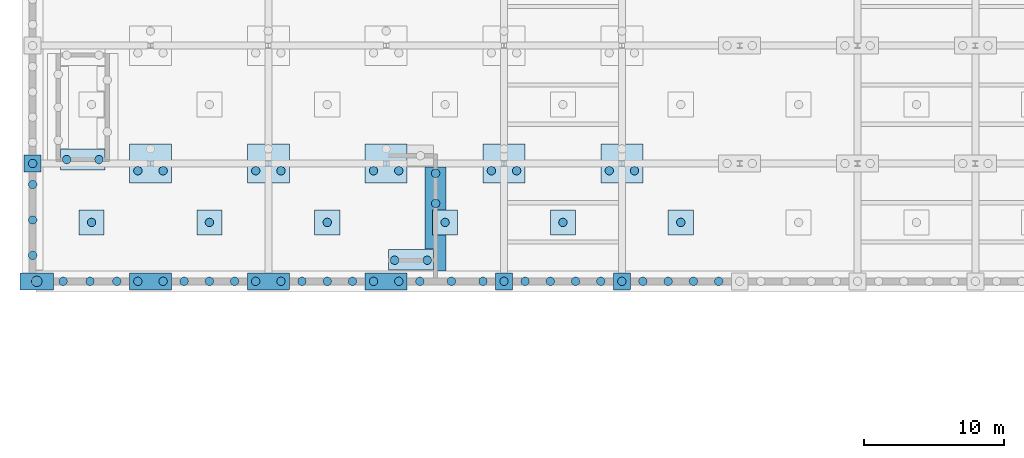
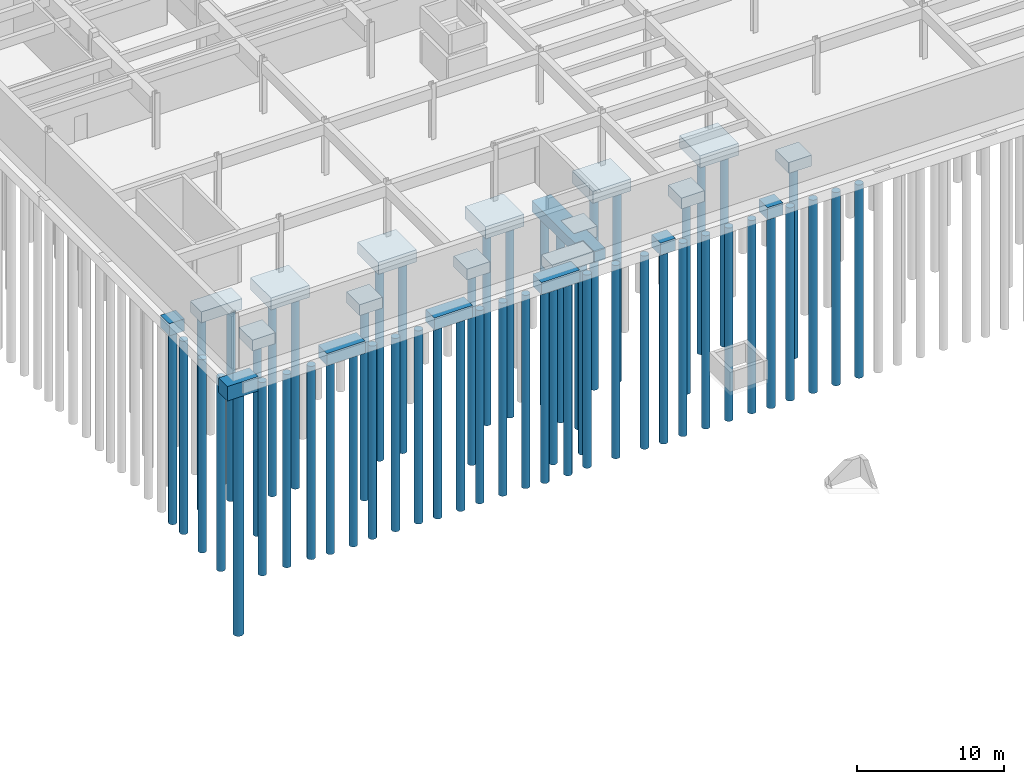
# One storey, part 1 of 33: 55 piles, 21 footings.
"""IFC4 building model written with IfcOpenShell, lengths in metres."""

from ifc_helpers import new_model, si_unit, direction, frame, origin, origin_2d, place, context, subcontext, project, spatial, polyline, circle, outline, extrude, material, layer, layer_set, material_profile, profile_set, type_object, element, save


model = new_model("IFC4")

# Units and contexts
model_context = context("Model", 3, precision=1e-05, world=origin(), true_north=direction((0.0, 1.0)))
body_context = subcontext(model_context, "Body", "Model", "MODEL_VIEW")
ifc_project = project(units=[si_unit("LENGTHUNIT", "METRE"), si_unit("AREAUNIT", "SQUARE_METRE"), si_unit("VOLUMEUNIT", "CUBIC_METRE"), si_unit("PLANEANGLEUNIT", "RADIAN"), si_unit("MASSUNIT", "GRAM", prefix="KILO")], contexts=[model_context])

# Site, building, storey
site_placement = place(None, origin())
site = spatial("IfcSite", under=ifc_project, at=site_placement, CompositionType="ELEMENT")
building_placement = place(site_placement, origin())
building = spatial("IfcBuilding", under=site, at=building_placement, Name="Ljudholm Concert House", CompositionType="ELEMENT")
storey_placement = place(building_placement, frame((0.0, 0.0, -4.60009765625)))
storey = spatial("IfcBuildingStorey", under=building, at=storey_placement, Name="B1", CompositionType="ELEMENT", Elevation=-4.60009765625)

# Piles
ifc_material_1 = material(Name="Concrete 5,000 psi", Category="concrete")
ifc_material_profile_1 = material_profile(ifc_material_1, circle(Radius=0.300048828125, at=origin_2d()), Name="AUGER-CAST PILE D600")
ifc_profile_set_1 = profile_set([ifc_material_profile_1], Name="Concrete 5,000 psi")
pile_type_1 = type_object("IfcPileType", Name="AUGER-CAST PILE D600", PredefinedType="BORED", material=ifc_profile_set_1)
for number, where, z_axis, x_axis, name in (
    (1, (4.0, 113.199951171875, -1.89990234375), (0.0, 0.0, -1.0), (1.0, 0.0, 0.0), "Pile D600"),
    (2, (11.5, 104.800048828125, -1.89990234375), (0.0, 0.0, -1.0), (1.0, 0.0, 0.0), "Pile D600"),
    (3, (13.300048828125, 104.800048828125, -1.89990234375), (0.0, 0.0, -1.0), (1.0, 0.0, 0.0), "Pile D600"),
    (4, (11.5, 112.680419921875, -1.89990234375), (0.0, 0.0, -1.0), (1.0, 0.0, 0.0), "Pile D600"),
    (5, (13.300048828125, 112.680419921875, -1.89990234375), (0.0, 0.0, -1.0), (1.0, 0.0, 0.0), "Pile D600"),
    (6, (19.89990234375, 104.800048828125, -1.89990234375), (0.0, 0.0, -1.0), (1.0, 0.0, 0.0), "Pile D600"),
    (7, (21.699951171875, 104.800048828125, -1.89990234375), (0.0, 0.0, -1.0), (1.0, 0.0, 0.0), "Pile D600"),
    (8, (19.89990234375, 112.680419921875, -1.89990234375), (0.0, 0.0, -1.0), (1.0, 0.0, 0.0), "Pile D600"),
    (9, (21.699951171875, 112.680419921875, -1.89990234375), (0.0, 0.0, -1.0), (1.0, 0.0, 0.0), "Pile D600"),
    (10, (28.300048828125, 104.800048828125, -1.89990234375), (0.0, 0.0, -1.0), (1.0, 0.0, 0.0), "Pile D600"),
    (11, (30.10009765625, 104.800048828125, -1.89990234375), (0.0, 0.0, -1.0), (1.0, 0.0, 0.0), "Pile D600"),
    (12, (28.300048828125, 112.680419921875, -1.89990234375), (0.0, 0.0, -1.0), (1.0, 0.0, 0.0), "Pile D600"),
    (13, (30.10009765625, 112.680419921875, -1.89990234375), (0.0, 0.0, -1.0), (1.0, 0.0, 0.0), "Pile D600"),
    (14, (37.60009765625, 104.800048828125, -1.89990234375), (0.0, 0.0, -1.0), (1.0, 0.0, 0.0), "Pile D600"),
    (15, (36.699951171875, 112.680419921875, -1.89990234375), (0.0, 0.0, -1.0), (1.0, 0.0, 0.0), "Pile D600"),
    (16, (38.5, 112.680419921875, -1.89990234375), (0.0, 0.0, -1.0), (1.0, 0.0, 0.0), "Pile D600"),
    (17, (46.0, 104.800048828125, -1.89990234375), (0.0, 0.0, -1.0), (1.0, 0.0, 0.0), "Pile D600"),
    (18, (45.10009765625, 112.680419921875, -1.89990234375), (0.0, 0.0, -1.0), (1.0, 0.0, 0.0), "Pile D600"),
    (19, (46.89990234375, 112.680419921875, -1.89990234375), (0.0, 0.0, -1.0), (1.0, 0.0, 0.0), "Pile D600"),
    (20, (6.175048828125, 104.800048828125, -1.7998046875), (0.0, 0.0, -1.0), (1.0, 0.0, 0.0), "Pile D600"),
    (21, (8.08740234375, 104.800048828125, -1.7998046875), (0.0, 0.0, -1.0), (1.0, 0.0, 0.0), "Pile D600"),
    (22, (10.0, 104.800048828125, -1.7998046875), (0.0, 0.0, -1.0), (1.0, 0.0, 0.0), "Pile D600"),
    (23, (14.800048828125, 104.800048828125, -1.7998046875), (0.0, 0.0, -1.0), (1.0, 0.0, 0.0), "Pile D600"),
    (24, (16.60009765625, 104.800048828125, -1.7998046875), (0.0, 0.0, -1.0), (1.0, 0.0, 0.0), "Pile D600"),
    (25, (18.39990234375, 104.800048828125, -1.7998046875), (0.0, 0.0, -1.0), (1.0, 0.0, 0.0), "Pile D600"),
    (26, (23.199951171875, 104.800048828125, -1.7998046875), (0.0, 0.0, -1.0), (1.0, 0.0, 0.0), "Pile D600"),
    (27, (25.0, 104.800048828125, -1.7998046875), (0.0, 0.0, -1.0), (1.0, 0.0, 0.0), "Pile D600"),
    (28, (26.800048828125, 104.800048828125, -1.7998046875), (0.0, 0.0, -1.0), (1.0, 0.0, 0.0), "Pile D600"),
    (29, (31.60009765625, 104.800048828125, -1.7998046875), (0.0, 0.0, -1.0), (1.0, 0.0, 0.0), "Pile D600"),
    (30, (33.85009765625, 104.800048828125, -1.7998046875), (0.0, 0.0, -1.0), (1.0, 0.0, 0.0), "Pile D600"),
    (31, (36.10009765625, 104.800048828125, -1.7998046875), (0.0, 0.0, -1.0), (1.0, 0.0, 0.0), "Pile D600"),
    (32, (39.10009765625, 104.800048828125, -1.7998046875), (0.0, 0.0, -1.0), (1.0, 0.0, 0.0), "Pile D600"),
    (33, (40.89990234375, 104.800048828125, -1.7998046875), (0.0, 0.0, -1.0), (1.0, 0.0, 0.0), "Pile D600"),
    (34, (42.699951171875, 104.800048828125, -1.7998046875), (0.0, 0.0, -1.0), (1.0, 0.0, 0.0), "Pile D600"),
    (35, (44.5, 104.800048828125, -1.7998046875), (0.0, 0.0, -1.0), (1.0, 0.0, 0.0), "Pile D600"),
    (36, (47.5, 104.800048828125, -1.7998046875), (0.0, 0.0, -1.0), (1.0, 0.0, 0.0), "Pile D600"),
    (37, (49.300048828125, 104.800048828125, -1.7998046875), (0.0, 0.0, -1.0), (1.0, 0.0, 0.0), "Pile D600"),
    (38, (51.10009765625, 104.800048828125, -1.7998046875), (0.0, 0.0, -1.0), (1.0, 0.0, 0.0), "Pile D600"),
    (39, (52.89990234375, 104.800048828125, -1.7998046875), (0.0, 0.0, -1.0), (1.0, 0.0, 0.0), "Pile D600"),
    (40, (4.0, 106.650390625, -1.7998046875), (0.0, 0.0, -1.0), (1.0, 0.0, 0.0), "Pile D600"),
    (41, (4.0, 109.17529296875, -1.7998046875), (0.0, 0.0, -1.0), (1.0, 0.0, 0.0), "Pile D600"),
    (42, (4.0, 111.699951171875, -1.7998046875), (0.0, 0.0, -1.0), (1.0, 0.0, 0.0), "Pile D600"),
    (43, (8.199951171875, 109.0, -1.7998046875), (0.0, 0.0, -1.0), (1.0, 0.0, 0.0), "Pile D600"),
    (44, (16.60009765625, 109.0, -1.7998046875), (0.0, 0.0, -1.0), (1.0, 0.0, 0.0), "Pile D600"),
    (45, (25.0, 109.0, -1.7998046875), (0.0, 0.0, -1.0), (1.0, 0.0, 0.0), "Pile D600"),
    (46, (33.39990234375, 109.0, -1.7998046875), (0.0, 0.0, -1.0), (1.0, 0.0, 0.0), "Pile D600"),
    (47, (41.800048828125, 109.0, -1.7998046875), (0.0, 0.0, -1.0), (1.0, 0.0, 0.0), "Pile D600"),
    (48, (50.199951171875, 109.0, -1.7998046875), (0.0, 0.0, -1.0), (1.0, 0.0, 0.0), "Pile D600"),
    (49, (29.800048828125, 106.304931640625, -1.7998046875), (0.0, 0.0, -1.0), (1.0, 0.0, 0.0), "Pile D600"),
    (50, (32.125, 106.304931640625, -1.7998046875), (0.0, 0.0, -1.0), (1.0, 0.0, 0.0), "Pile D600"),
    (51, (6.425048828125, 113.47509765625, -1.7998046875), (0.0, 0.0, -1.0), (1.0, 0.0, 0.0), "Pile D600"),
    (52, (8.72509765625, 113.47509765625, -1.7998046875), (0.0, 0.0, -1.0), (1.0, 0.0, 0.0), "Pile D600"),
    (53, (32.72509765625, 110.35009765625, -1.7998046875), (0.0, 0.0, -1.0), (1.0, 0.0, 0.0), "Pile D600"),
    (54, (32.72509765625, 112.5, -1.7998046875), (0.0, 0.0, -1.0), (1.0, 0.0, 0.0), "Pile D600"),
):
    element("IfcPile", number, at=place(storey_placement, frame(where, z_axis=z_axis, x_axis=x_axis)), inside=storey, type_object=pile_type_1, Name=name, PredefinedType="BORED", context=body_context, shape_type="SweptSolid", body=[
        extrude(circle(Radius=0.300048828125, at=origin_2d()), origin(), (0.0, 0.0, 1.0), 16.0),
    ])
ifc_material_2 = material(Name="Concrete 5,000 psi", Category="concrete")
ifc_material_profile_2 = material_profile(ifc_material_2, circle(Radius=0.375, at=origin_2d()), Name="AUGER-CAST PILE D750")
ifc_profile_set_2 = profile_set([ifc_material_profile_2], Name="Concrete 5,000 psi")
pile_type_2 = type_object("IfcPileType", Name="AUGER-CAST PILE D750", PredefinedType="BORED", material=ifc_profile_set_2)
pile_placement = place(storey_placement, frame((4.300048828125, 104.800048828125, -2.099853515625), z_axis=(0.0, 0.0, -1.0), x_axis=(1.0, 0.0, 0.0)))
element("IfcPile", 55, at=pile_placement, inside=storey, type_object=pile_type_2, Name="Pile D750", PredefinedType="BORED", context=body_context, shape_type="SweptSolid", body=[
    extrude(circle(Radius=0.375, at=origin_2d()), origin(), (0.0, 0.0, 1.0), 20.0),
])

# Footings
ifc_material_3 = material(Name="Concrete 5,000 psi", Category="concrete")
ifc_layer_1 = layer(ifc_material_3, 1.0)
ifc_layer_set_1 = layer_set([ifc_layer_1], Name="Concrete 5,000 psi")
footing_type_1 = type_object("IfcFootingType", Name="RC PILE CAP 1200x1200x1000", PredefinedType="PILE_CAP", material=ifc_layer_set_1)
footing_1_placement = place(storey_placement, frame((0.0, 0.0, -1.89990234375)))
element("IfcFooting", 56, at=footing_1_placement, inside=storey, type_object=footing_type_1, Name="Pile cap", PredefinedType="PILE_CAP", context=body_context, shape_type="SweptSolid", body=[
    extrude(outline(polyline([(3.39990234375, 113.7900390625), (3.39990234375, 112.610107421875), (3.40087890625, 112.606201171875), (3.40283203125, 112.60302734375), (3.40625, 112.600830078125), (3.409912109375, 112.60009765625), (4.590087890625, 112.60009765625), (4.59375, 112.600830078125), (4.59716796875, 112.60302734375), (4.59912109375, 112.606201171875), (4.60009765625, 112.610107421875), (4.60009765625, 113.7900390625), (4.59912109375, 113.7939453125), (4.59716796875, 113.797119140625), (4.59375, 113.79931640625), (4.590087890625, 113.800048828125), (3.409912109375, 113.800048828125), (3.40625, 113.79931640625), (3.40283203125, 113.797119140625), (3.40087890625, 113.7939453125), (3.39990234375, 113.7900390625)])), origin(), (0.0, 0.0, 1.0), 1.0),
])
footing_2_placement = place(storey_placement, frame((0.0, 0.0, -1.89990234375)))
element("IfcFooting", 57, at=footing_2_placement, inside=storey, type_object=footing_type_1, Name="Pile cap", PredefinedType="PILE_CAP", context=body_context, shape_type="SweptSolid", body=[
    extrude(outline(polyline([(37.010009765625, 104.199951171875), (38.18994140625, 104.199951171875), (38.19384765625, 104.20068359375), (38.197021484375, 104.202880859375), (38.19921875, 104.2060546875), (38.199951171875, 104.2099609375), (38.199951171875, 105.389892578125), (38.19921875, 105.393798828125), (38.197021484375, 105.39697265625), (38.19384765625, 105.399169921875), (38.18994140625, 105.39990234375), (37.010009765625, 105.39990234375), (37.006103515625, 105.399169921875), (37.0029296875, 105.39697265625), (37.000732421875, 105.393798828125), (37.0, 105.389892578125), (37.0, 104.2099609375), (37.000732421875, 104.2060546875), (37.0029296875, 104.202880859375), (37.006103515625, 104.20068359375), (37.010009765625, 104.199951171875)])), origin(), (0.0, 0.0, 1.0), 1.0),
])
footing_3_placement = place(storey_placement, frame((0.0, 0.0, -1.89990234375)))
element("IfcFooting", 58, at=footing_3_placement, inside=storey, type_object=footing_type_1, Name="Pile cap", PredefinedType="PILE_CAP", context=body_context, shape_type="SweptSolid", body=[
    extrude(outline(polyline([(45.409912109375, 104.199951171875), (46.590087890625, 104.199951171875), (46.59375, 104.20068359375), (46.59716796875, 104.202880859375), (46.59912109375, 104.2060546875), (46.60009765625, 104.2099609375), (46.60009765625, 105.389892578125), (46.59912109375, 105.393798828125), (46.59716796875, 105.39697265625), (46.59375, 105.399169921875), (46.590087890625, 105.39990234375), (45.409912109375, 105.39990234375), (45.40625, 105.399169921875), (45.40283203125, 105.39697265625), (45.40087890625, 105.393798828125), (45.39990234375, 105.389892578125), (45.39990234375, 104.2099609375), (45.40087890625, 104.2060546875), (45.40283203125, 104.202880859375), (45.40625, 104.20068359375), (45.409912109375, 104.199951171875)])), origin(), (0.0, 0.0, 1.0), 1.0),
])
ifc_material_4 = material(Name="Concrete 5,000 psi", Category="concrete")
ifc_layer_2 = layer(ifc_material_4, 0.89990234375)
ifc_layer_set_2 = layer_set([ifc_layer_2], Name="Concrete 5,000 psi")
footing_type_2 = type_object("IfcFootingType", Name="RC PILE CAP 1800x1800x900", PredefinedType="PILE_CAP", material=ifc_layer_set_2)
footing_4_placement = place(storey_placement, frame((0.0, 0.0, -1.7998046875)))
element("IfcFooting", 59, at=footing_4_placement, inside=storey, type_object=footing_type_2, Name="Uplift pile cap", PredefinedType="PILE_CAP", context=body_context, shape_type="SweptSolid", body=[
    extrude(outline(polyline([(7.31005859375, 108.10009765625), (9.090087890625, 108.10009765625), (9.09375, 108.100830078125), (9.09716796875, 108.10302734375), (9.09912109375, 108.106201171875), (9.10009765625, 108.110107421875), (9.10009765625, 109.889892578125), (9.09912109375, 109.893798828125), (9.09716796875, 109.89697265625), (9.09375, 109.899169921875), (9.090087890625, 109.89990234375), (7.31005859375, 109.89990234375), (7.30615234375, 109.899169921875), (7.302978515625, 109.89697265625), (7.30078125, 109.893798828125), (7.300048828125, 109.889892578125), (7.300048828125, 108.110107421875), (7.30078125, 108.106201171875), (7.302978515625, 108.10302734375), (7.30615234375, 108.100830078125), (7.31005859375, 108.10009765625)])), origin(), (0.0, 0.0, 1.0), 0.89990234375),
])
footing_5_placement = place(storey_placement, frame((0.0, 0.0, -1.7998046875)))
element("IfcFooting", 60, at=footing_5_placement, inside=storey, type_object=footing_type_2, Name="Uplift pile cap", PredefinedType="PILE_CAP", context=body_context, shape_type="SweptSolid", body=[
    extrude(outline(polyline([(15.7099609375, 108.10009765625), (17.489990234375, 108.10009765625), (17.493896484375, 108.100830078125), (17.4970703125, 108.10302734375), (17.499267578125, 108.106201171875), (17.5, 108.110107421875), (17.5, 109.889892578125), (17.499267578125, 109.893798828125), (17.4970703125, 109.89697265625), (17.493896484375, 109.899169921875), (17.489990234375, 109.89990234375), (15.7099609375, 109.89990234375), (15.7060546875, 109.899169921875), (15.702880859375, 109.89697265625), (15.70068359375, 109.893798828125), (15.699951171875, 109.889892578125), (15.699951171875, 108.110107421875), (15.70068359375, 108.106201171875), (15.702880859375, 108.10302734375), (15.7060546875, 108.100830078125), (15.7099609375, 108.10009765625)])), origin(), (0.0, 0.0, 1.0), 0.89990234375),
])
footing_6_placement = place(storey_placement, frame((0.0, 0.0, -1.7998046875)))
element("IfcFooting", 61, at=footing_6_placement, inside=storey, type_object=footing_type_2, Name="Uplift pile cap", PredefinedType="PILE_CAP", context=body_context, shape_type="SweptSolid", body=[
    extrude(outline(polyline([(24.110107421875, 108.10009765625), (25.889892578125, 108.10009765625), (25.893798828125, 108.100830078125), (25.89697265625, 108.10302734375), (25.899169921875, 108.106201171875), (25.89990234375, 108.110107421875), (25.89990234375, 109.889892578125), (25.899169921875, 109.893798828125), (25.89697265625, 109.89697265625), (25.893798828125, 109.899169921875), (25.889892578125, 109.89990234375), (24.110107421875, 109.89990234375), (24.106201171875, 109.899169921875), (24.10302734375, 109.89697265625), (24.100830078125, 109.893798828125), (24.10009765625, 109.889892578125), (24.10009765625, 108.110107421875), (24.100830078125, 108.106201171875), (24.10302734375, 108.10302734375), (24.106201171875, 108.100830078125), (24.110107421875, 108.10009765625)])), origin(), (0.0, 0.0, 1.0), 0.89990234375),
])
footing_7_placement = place(storey_placement, frame((0.0, 0.0, -1.7998046875)))
element("IfcFooting", 62, at=footing_7_placement, inside=storey, type_object=footing_type_2, Name="Uplift pile cap", PredefinedType="PILE_CAP", context=body_context, shape_type="SweptSolid", body=[
    extrude(outline(polyline([(32.510009765625, 108.10009765625), (34.2900390625, 108.10009765625), (34.2939453125, 108.100830078125), (34.297119140625, 108.10302734375), (34.29931640625, 108.106201171875), (34.300048828125, 108.110107421875), (34.300048828125, 109.889892578125), (34.29931640625, 109.893798828125), (34.297119140625, 109.89697265625), (34.2939453125, 109.899169921875), (34.2900390625, 109.89990234375), (32.510009765625, 109.89990234375), (32.506103515625, 109.899169921875), (32.5029296875, 109.89697265625), (32.500732421875, 109.893798828125), (32.5, 109.889892578125), (32.5, 108.110107421875), (32.500732421875, 108.106201171875), (32.5029296875, 108.10302734375), (32.506103515625, 108.100830078125), (32.510009765625, 108.10009765625)])), origin(), (0.0, 0.0, 1.0), 0.89990234375),
])
footing_8_placement = place(storey_placement, frame((0.0, 0.0, -1.7998046875)))
element("IfcFooting", 63, at=footing_8_placement, inside=storey, type_object=footing_type_2, Name="Uplift pile cap", PredefinedType="PILE_CAP", context=body_context, shape_type="SweptSolid", body=[
    extrude(outline(polyline([(40.909912109375, 108.10009765625), (42.68994140625, 108.10009765625), (42.69384765625, 108.100830078125), (42.697021484375, 108.10302734375), (42.69921875, 108.106201171875), (42.699951171875, 108.110107421875), (42.699951171875, 109.889892578125), (42.69921875, 109.893798828125), (42.697021484375, 109.89697265625), (42.69384765625, 109.899169921875), (42.68994140625, 109.89990234375), (40.909912109375, 109.89990234375), (40.90625, 109.899169921875), (40.90283203125, 109.89697265625), (40.90087890625, 109.893798828125), (40.89990234375, 109.889892578125), (40.89990234375, 108.110107421875), (40.90087890625, 108.106201171875), (40.90283203125, 108.10302734375), (40.90625, 108.100830078125), (40.909912109375, 108.10009765625)])), origin(), (0.0, 0.0, 1.0), 0.89990234375),
])
footing_9_placement = place(storey_placement, frame((0.0, 0.0, -1.7998046875)))
element("IfcFooting", 64, at=footing_9_placement, inside=storey, type_object=footing_type_2, Name="Uplift pile cap", PredefinedType="PILE_CAP", context=body_context, shape_type="SweptSolid", body=[
    extrude(outline(polyline([(49.31005859375, 108.10009765625), (51.090087890625, 108.10009765625), (51.09375, 108.100830078125), (51.09716796875, 108.10302734375), (51.09912109375, 108.106201171875), (51.10009765625, 108.110107421875), (51.10009765625, 109.889892578125), (51.09912109375, 109.893798828125), (51.09716796875, 109.89697265625), (51.09375, 109.899169921875), (51.090087890625, 109.89990234375), (49.31005859375, 109.89990234375), (49.30615234375, 109.899169921875), (49.302978515625, 109.89697265625), (49.30078125, 109.893798828125), (49.300048828125, 109.889892578125), (49.300048828125, 108.110107421875), (49.30078125, 108.106201171875), (49.302978515625, 108.10302734375), (49.30615234375, 108.100830078125), (49.31005859375, 108.10009765625)])), origin(), (0.0, 0.0, 1.0), 0.89990234375),
])
ifc_material_5 = material(Name="Concrete 5,000 psi", Category="concrete")
ifc_layer_3 = layer(ifc_material_5, 1.199951171875)
ifc_layer_set_3 = layer_set([ifc_layer_3], Name="Concrete 5,000 psi")
footing_type_3 = type_object("IfcFootingType", Name="RC PILE CAP 2400x1200x1200", PredefinedType="PILE_CAP", material=ifc_layer_set_3)
footing_10_placement = place(storey_placement, frame((0.0, 0.0, -2.099853515625)))
element("IfcFooting", 65, at=footing_10_placement, inside=storey, type_object=footing_type_3, Name="Pile cap", PredefinedType="PILE_CAP", context=body_context, shape_type="SweptSolid", body=[
    extrude(outline(polyline([(3.110107421875, 104.199951171875), (5.489990234375, 104.199951171875), (5.49462890625, 104.201171875), (5.498291015625, 104.204345703125), (5.5, 104.2099609375), (5.5, 105.389892578125), (5.498779296875, 105.394775390625), (5.49462890625, 105.39892578125), (5.489990234375, 105.39990234375), (3.110107421875, 105.39990234375), (3.105224609375, 105.39892578125), (3.101806640625, 105.3955078125), (3.10009765625, 105.389892578125), (3.10009765625, 104.2099609375), (3.100830078125, 104.2060546875), (3.10302734375, 104.202880859375), (3.106201171875, 104.20068359375), (3.110107421875, 104.199951171875)])), origin(), (0.0, 0.0, 1.0), 1.199951171875),
])
ifc_material_6 = material(Name="Concrete 5,000 psi", Category="concrete")
ifc_layer_4 = layer(ifc_material_6, 1.0)
ifc_layer_set_4 = layer_set([ifc_layer_4], Name="Concrete 5,000 psi")
footing_type_4 = type_object("IfcFootingType", Name="RC PILE CAP 3000x1200x1000", PredefinedType="PILE_CAP", material=ifc_layer_set_4)
footing_11_placement = place(storey_placement, frame((0.0, 0.0, -1.89990234375)))
element("IfcFooting", 66, at=footing_11_placement, inside=storey, type_object=footing_type_4, Name="Pile cap", PredefinedType="PILE_CAP", context=body_context, shape_type="SweptSolid", body=[
    extrude(outline(polyline([(10.909912109375, 104.199951171875), (13.889892578125, 104.199951171875), (13.893798828125, 104.20068359375), (13.898193359375, 104.204345703125), (13.89990234375, 104.2099609375), (13.89990234375, 105.389892578125), (13.899169921875, 105.393798828125), (13.8955078125, 105.398193359375), (13.889892578125, 105.39990234375), (10.909912109375, 105.39990234375), (10.90625, 105.399169921875), (10.901611328125, 105.3955078125), (10.89990234375, 105.389892578125), (10.89990234375, 104.2099609375), (10.90087890625, 104.2060546875), (10.90283203125, 104.202880859375), (10.90625, 104.20068359375), (10.909912109375, 104.199951171875)])), origin(), (0.0, 0.0, 1.0), 1.0),
])
footing_12_placement = place(storey_placement, frame((0.0, 0.0, -1.89990234375)))
element("IfcFooting", 67, at=footing_12_placement, inside=storey, type_object=footing_type_4, Name="Pile cap", PredefinedType="PILE_CAP", context=body_context, shape_type="SweptSolid", body=[
    extrude(outline(polyline([(19.31005859375, 104.199951171875), (22.2900390625, 104.199951171875), (22.2939453125, 104.20068359375), (22.29833984375, 104.204345703125), (22.300048828125, 104.2099609375), (22.300048828125, 105.389892578125), (22.29931640625, 105.393798828125), (22.295654296875, 105.398193359375), (22.2900390625, 105.39990234375), (19.31005859375, 105.39990234375), (19.30615234375, 105.399169921875), (19.3017578125, 105.3955078125), (19.300048828125, 105.389892578125), (19.300048828125, 104.2099609375), (19.30078125, 104.2060546875), (19.302978515625, 104.202880859375), (19.30615234375, 104.20068359375), (19.31005859375, 104.199951171875)])), origin(), (0.0, 0.0, 1.0), 1.0),
])
footing_13_placement = place(storey_placement, frame((0.0, 0.0, -1.89990234375)))
element("IfcFooting", 68, at=footing_13_placement, inside=storey, type_object=footing_type_4, Name="Pile cap", PredefinedType="PILE_CAP", context=body_context, shape_type="SweptSolid", body=[
    extrude(outline(polyline([(27.7099609375, 104.199951171875), (30.68994140625, 104.199951171875), (30.69384765625, 104.20068359375), (30.6982421875, 104.204345703125), (30.699951171875, 104.2099609375), (30.699951171875, 105.389892578125), (30.69921875, 105.393798828125), (30.695556640625, 105.398193359375), (30.68994140625, 105.39990234375), (27.7099609375, 105.39990234375), (27.7060546875, 105.399169921875), (27.70166015625, 105.3955078125), (27.699951171875, 105.389892578125), (27.699951171875, 104.2099609375), (27.70068359375, 104.2060546875), (27.702880859375, 104.202880859375), (27.7060546875, 104.20068359375), (27.7099609375, 104.199951171875)])), origin(), (0.0, 0.0, 1.0), 1.0),
])
ifc_material_7 = material(Name="Concrete 5,000 psi", Category="concrete")
ifc_layer_5 = layer(ifc_material_7, 1.0)
ifc_layer_set_5 = layer_set([ifc_layer_5], Name="Concrete 5,000 psi")
footing_type_5 = type_object("IfcFootingType", Name="RC PILE CAP 3000x2800x1000", PredefinedType="PILE_CAP", material=ifc_layer_set_5)
footing_14_placement = place(storey_placement, frame((0.0, 0.0, -1.89990234375)))
element("IfcFooting", 69, at=footing_14_placement, inside=storey, type_object=footing_type_5, Name="Pile cap", PredefinedType="PILE_CAP", context=body_context, shape_type="SweptSolid", body=[
    extrude(outline(polyline([(10.909912109375, 111.800048828125), (13.889892578125, 111.800048828125), (13.893798828125, 111.80078125), (13.89697265625, 111.802978515625), (13.899169921875, 111.80615234375), (13.89990234375, 111.81005859375), (13.89990234375, 114.590087890625), (13.899169921875, 114.59375), (13.89697265625, 114.59716796875), (13.893798828125, 114.59912109375), (13.889892578125, 114.60009765625), (10.909912109375, 114.60009765625), (10.90625, 114.59912109375), (10.90283203125, 114.59716796875), (10.90087890625, 114.59375), (10.89990234375, 114.590087890625), (10.89990234375, 111.81005859375), (10.90087890625, 111.80615234375), (10.90283203125, 111.802978515625), (10.90625, 111.80078125), (10.909912109375, 111.800048828125)])), origin(), (0.0, 0.0, 1.0), 1.0),
])
footing_15_placement = place(storey_placement, frame((0.0, 0.0, -1.89990234375)))
element("IfcFooting", 70, at=footing_15_placement, inside=storey, type_object=footing_type_5, Name="Pile cap", PredefinedType="PILE_CAP", context=body_context, shape_type="SweptSolid", body=[
    extrude(outline(polyline([(19.31005859375, 111.800048828125), (22.2900390625, 111.800048828125), (22.2939453125, 111.80078125), (22.297119140625, 111.802978515625), (22.29931640625, 111.80615234375), (22.300048828125, 111.81005859375), (22.300048828125, 114.590087890625), (22.29931640625, 114.59375), (22.297119140625, 114.59716796875), (22.2939453125, 114.59912109375), (22.2900390625, 114.60009765625), (19.31005859375, 114.60009765625), (19.30615234375, 114.59912109375), (19.302978515625, 114.59716796875), (19.30078125, 114.59375), (19.300048828125, 114.590087890625), (19.300048828125, 111.81005859375), (19.30078125, 111.80615234375), (19.302978515625, 111.802978515625), (19.30615234375, 111.80078125), (19.31005859375, 111.800048828125)])), origin(), (0.0, 0.0, 1.0), 1.0),
])
footing_16_placement = place(storey_placement, frame((0.0, 0.0, -1.89990234375)))
element("IfcFooting", 71, at=footing_16_placement, inside=storey, type_object=footing_type_5, Name="Pile cap", PredefinedType="PILE_CAP", context=body_context, shape_type="SweptSolid", body=[
    extrude(outline(polyline([(27.7099609375, 111.800048828125), (30.68994140625, 111.800048828125), (30.69384765625, 111.80078125), (30.697021484375, 111.802978515625), (30.69921875, 111.80615234375), (30.699951171875, 111.81005859375), (30.699951171875, 114.590087890625), (30.69921875, 114.59375), (30.697021484375, 114.59716796875), (30.69384765625, 114.59912109375), (30.68994140625, 114.60009765625), (27.7099609375, 114.60009765625), (27.7060546875, 114.59912109375), (27.702880859375, 114.59716796875), (27.70068359375, 114.59375), (27.699951171875, 114.590087890625), (27.699951171875, 111.81005859375), (27.70068359375, 111.80615234375), (27.702880859375, 111.802978515625), (27.7060546875, 111.80078125), (27.7099609375, 111.800048828125)])), origin(), (0.0, 0.0, 1.0), 1.0),
])
footing_17_placement = place(storey_placement, frame((0.0, 0.0, -1.89990234375)))
element("IfcFooting", 72, at=footing_17_placement, inside=storey, type_object=footing_type_5, Name="Pile cap", PredefinedType="PILE_CAP", context=body_context, shape_type="SweptSolid", body=[
    extrude(outline(polyline([(36.110107421875, 111.800048828125), (39.090087890625, 111.800048828125), (39.09375, 111.80078125), (39.09716796875, 111.802978515625), (39.09912109375, 111.80615234375), (39.10009765625, 111.81005859375), (39.10009765625, 114.590087890625), (39.09912109375, 114.59375), (39.09716796875, 114.59716796875), (39.09375, 114.59912109375), (39.090087890625, 114.60009765625), (36.110107421875, 114.60009765625), (36.106201171875, 114.59912109375), (36.10302734375, 114.59716796875), (36.100830078125, 114.59375), (36.10009765625, 114.590087890625), (36.10009765625, 111.81005859375), (36.100830078125, 111.80615234375), (36.10302734375, 111.802978515625), (36.106201171875, 111.80078125), (36.110107421875, 111.800048828125)])), origin(), (0.0, 0.0, 1.0), 1.0),
])
footing_18_placement = place(storey_placement, frame((0.0, 0.0, -1.89990234375)))
element("IfcFooting", 73, at=footing_18_placement, inside=storey, type_object=footing_type_5, Name="Pile cap", PredefinedType="PILE_CAP", context=body_context, shape_type="SweptSolid", body=[
    extrude(outline(polyline([(44.510009765625, 111.800048828125), (47.489990234375, 111.800048828125), (47.493896484375, 111.80078125), (47.4970703125, 111.802978515625), (47.499267578125, 111.80615234375), (47.5, 111.81005859375), (47.5, 114.590087890625), (47.499267578125, 114.59375), (47.4970703125, 114.59716796875), (47.493896484375, 114.59912109375), (47.489990234375, 114.60009765625), (44.510009765625, 114.60009765625), (44.506103515625, 114.59912109375), (44.5029296875, 114.59716796875), (44.500732421875, 114.59375), (44.5, 114.590087890625), (44.5, 111.81005859375), (44.500732421875, 111.80615234375), (44.5029296875, 111.802978515625), (44.506103515625, 111.80078125), (44.510009765625, 111.800048828125)])), origin(), (0.0, 0.0, 1.0), 1.0),
])
ifc_material_8 = material(Name="Concrete 5,000 psi", Category="concrete")
ifc_layer_6 = layer(ifc_material_8, 0.89990234375)
ifc_layer_set_6 = layer_set([ifc_layer_6], Name="Concrete 5,000 psi")
footing_type_6 = type_object("IfcFootingType", Name="RC STRIP FOOTING 1500x900", PredefinedType="STRIP_FOOTING", material=ifc_layer_set_6)
footing_19_placement = place(storey_placement, frame((0.0, 0.0, -1.7998046875)))
element("IfcFooting", 74, at=footing_19_placement, inside=storey, type_object=footing_type_6, Name="Strip footing", PredefinedType="STRIP_FOOTING", context=body_context, shape_type="SweptSolid", body=[
    extrude(outline(polyline([(29.360107421875, 105.60009765625), (32.56494140625, 105.60009765625), (32.56884765625, 105.600830078125), (32.5732421875, 105.6044921875), (32.574951171875, 105.610107421875), (32.574951171875, 107.044921875), (32.57421875, 107.048828125), (32.570556640625, 107.05322265625), (32.56494140625, 107.054931640625), (29.360107421875, 107.054931640625), (29.356201171875, 107.05419921875), (29.351806640625, 107.050537109375), (29.35009765625, 107.044921875), (29.35009765625, 105.610107421875), (29.350830078125, 105.606201171875), (29.35302734375, 105.60302734375), (29.356201171875, 105.600830078125), (29.360107421875, 105.60009765625)])), origin(), (0.0, 0.0, 1.0), 0.89990234375),
])
footing_20_placement = place(storey_placement, frame((0.0, 0.0, -1.7998046875)))
element("IfcFooting", 75, at=footing_20_placement, inside=storey, type_object=footing_type_6, Name="Strip footing", PredefinedType="STRIP_FOOTING", context=body_context, shape_type="SweptSolid", body=[
    extrude(outline(polyline([(5.985107421875, 112.72509765625), (9.1650390625, 112.72509765625), (9.1689453125, 112.725830078125), (9.17333984375, 112.7294921875), (9.175048828125, 112.735107421875), (9.175048828125, 114.215087890625), (9.17431640625, 114.21875), (9.170654296875, 114.223388671875), (9.1650390625, 114.22509765625), (5.985107421875, 114.22509765625), (5.981201171875, 114.22412109375), (5.976806640625, 114.220458984375), (5.97509765625, 114.215087890625), (5.97509765625, 112.735107421875), (5.975830078125, 112.731201171875), (5.97802734375, 112.72802734375), (5.981201171875, 112.725830078125), (5.985107421875, 112.72509765625)])), origin(), (0.0, 0.0, 1.0), 0.89990234375),
])
footing_21_placement = place(storey_placement, frame((0.0, 0.0, -1.7998046875)))
element("IfcFooting", 76, at=footing_21_placement, inside=storey, type_object=footing_type_6, Name="Strip footing", PredefinedType="STRIP_FOOTING", context=body_context, shape_type="SweptSolid", body=[
    extrude(outline(polyline([(31.97509765625, 112.93994140625), (31.97509765625, 107.113037109375), (31.976806640625, 107.109375), (31.978759765625, 107.107177734375), (31.981201171875, 107.105712890625), (31.985107421875, 107.10498046875), (32.61474609375, 107.10498046875), (32.62060546875, 107.103271484375), (32.624267578125, 107.098876953125), (32.625, 107.0947265625), (32.625, 105.56005859375), (32.625732421875, 105.55615234375), (32.6279296875, 105.552978515625), (32.631103515625, 105.55078125), (32.635009765625, 105.550048828125), (33.467041015625, 105.55029296875), (33.4697265625, 105.55126953125), (33.47265625, 105.5537109375), (33.474609375, 105.55712890625), (33.47509765625, 105.56005859375), (33.474853515625, 108.092041015625), (33.473388671875, 108.095458984375), (33.471435546875, 108.09765625), (33.46875, 108.09912109375), (33.465087890625, 108.10009765625), (32.51123046875, 108.10009765625), (32.50537109375, 108.101318359375), (32.50146484375, 108.10546875), (32.5, 108.111328125), (32.5, 109.888671875), (32.5009765625, 109.8935546875), (32.503173828125, 109.89697265625), (32.50634765625, 109.899169921875), (32.51123046875, 109.89990234375), (33.465087890625, 109.89990234375), (33.470458984375, 109.901611328125), (33.473388671875, 109.904541015625), (33.474609375, 109.906982421875), (33.474853515625, 112.94189453125), (33.473388671875, 112.945556640625), (33.471435546875, 112.94775390625), (33.46875, 112.94921875), (33.465087890625, 112.949951171875), (31.985107421875, 112.949951171875), (31.981201171875, 112.94921875), (31.97802734375, 112.947021484375), (31.975830078125, 112.94384765625), (31.97509765625, 112.93994140625)])), origin(), (0.0, 0.0, 1.0), 0.89990234375),
])

save(model, "model.ifc")
